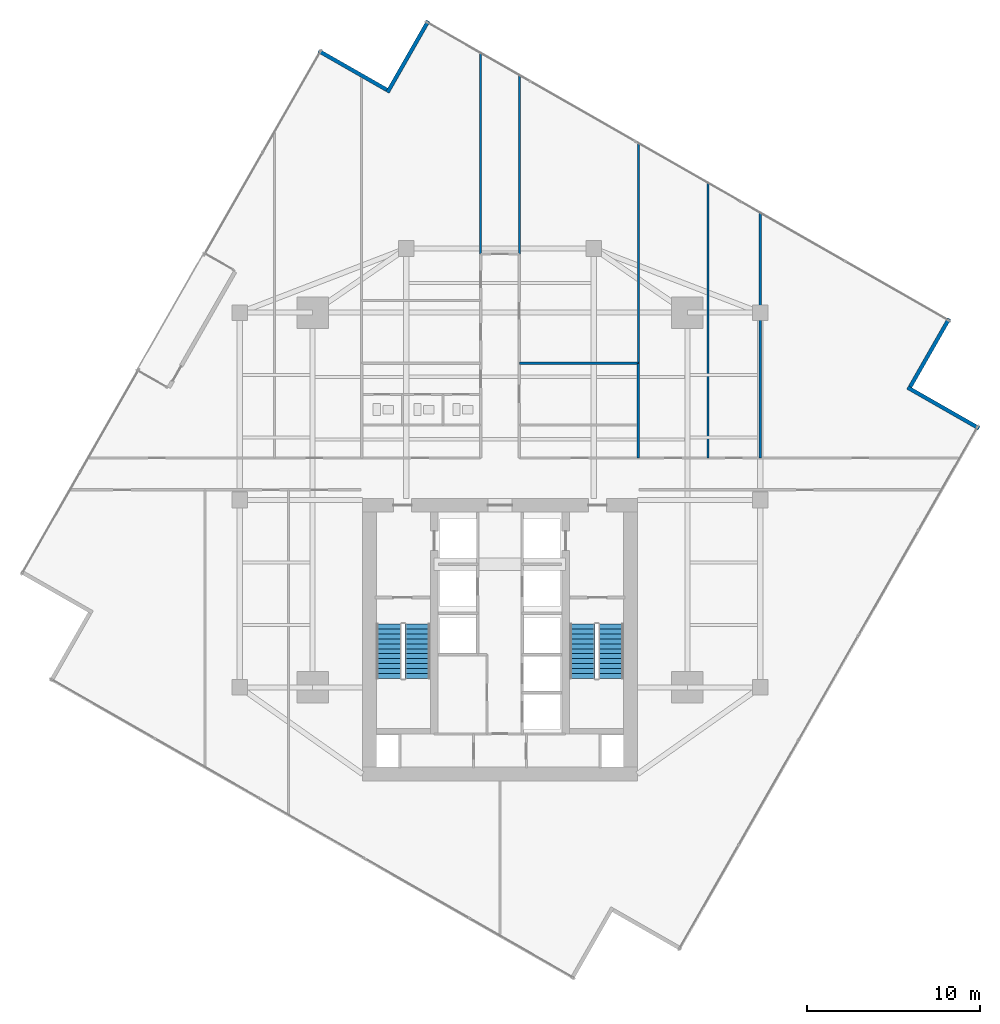
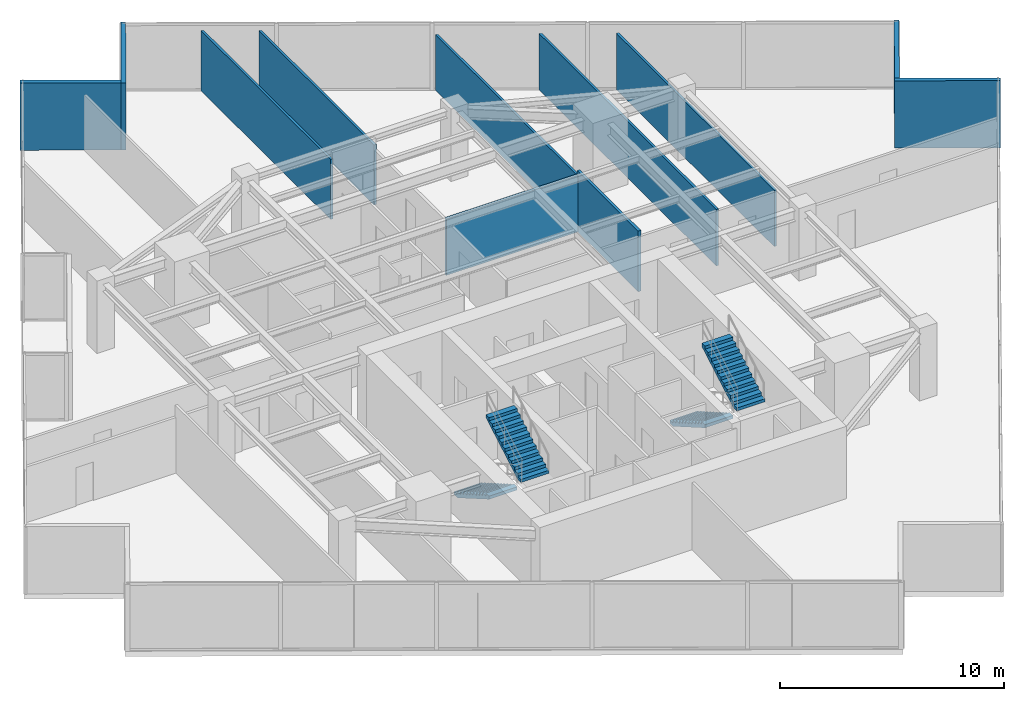
# One storey, part 22 of 24: 11 walls, 4 stair flights, 2 elements without a shape of their own.
"""IFC4 building model written with IfcOpenShell, lengths in metres."""

from ifc_helpers import new_model, si_unit, direction, frame, frame_2d, origin, place, context, subcontext, project, spatial, polyline, rectangle, outline, extrude, material, layer, layer_set, type_object, element, aggregate, save


model = new_model("IFC4")

# Units and contexts
model_context = context("Model", 3, precision=1e-05, world=origin(), true_north=direction((0.0, 1.0)))
body_context = subcontext(model_context, "Body", "Model", "MODEL_VIEW")
ifc_project = project(units=[si_unit("LENGTHUNIT", "METRE"), si_unit("AREAUNIT", "SQUARE_METRE"), si_unit("VOLUMEUNIT", "CUBIC_METRE"), si_unit("PLANEANGLEUNIT", "RADIAN"), si_unit("MASSUNIT", "GRAM", prefix="KILO")], contexts=[model_context])

# Site, building, storey
site_placement = place(None, origin())
site = spatial("IfcSite", under=ifc_project, at=site_placement, CompositionType="ELEMENT")
building_placement = place(site_placement, origin())
building = spatial("IfcBuilding", under=site, at=building_placement, Name="Krantzveldt Concourse Tower", CompositionType="ELEMENT")
storey_placement = place(building_placement, frame((0.0, 0.0, 169.89990234375)))
storey = spatial("IfcBuildingStorey", under=building, at=storey_placement, Name="L41", CompositionType="ELEMENT", Elevation=169.89990234375)

# Walls
ifc_material_1 = material(Name="Anodised aluminium 6063-T6", Category="aluminium")
ifc_layer_1 = layer(ifc_material_1, 0.219970703125, Name="Anodised aluminium 6063-T6", Category="aluminium")
ifc_layer_set_1 = layer_set([ifc_layer_1], Name="Anodised aluminium 6063-T6 (WL-EXT-NOTCH220)")
wall_type_1 = type_object("IfcWallType", Name="WL-EXT-NOTCH220", PredefinedType="ELEMENTEDWALL", material=ifc_layer_set_1)
wall_1_placement = place(storey_placement, frame((29.472900390625, 50.34521484375, 0.0), z_axis=(0.0, 0.0, 1.0), x_axis=(-0.868170087613, 0.496266761908, 0.0)))
element("IfcWall", 1, at=wall_1_placement, inside=storey, type_object=wall_type_1, Name="EW-L41-NCH00", PredefinedType="ELEMENTEDWALL", context=body_context, shape_type="SweptSolid", body=[
    extrude(rectangle(XDim=4.52490234375, YDim=0.219970703125, at=frame_2d((2.262451171875, 0.0))), origin(), (0.0, 0.0, 1.0), 3.670166015625),
])
wall_2_placement = place(storey_placement, frame((63.61474609375, 30.83154296875, 0.0), z_axis=(0.0, 0.0, 1.0), x_axis=(-0.868170306664, 0.496266378698, 0.0)))
element("IfcWall", 2, at=wall_2_placement, inside=storey, type_object=wall_type_1, Name="EW-L41-NCH12", PredefinedType="ELEMENTEDWALL", context=body_context, shape_type="SweptSolid", body=[
    extrude(rectangle(XDim=4.744873046875, YDim=0.219970703125, at=frame_2d((2.37255859375, 0.0))), origin(), (0.0, 0.0, 1.0), 3.670166015625),
])
wall_3_placement = place(storey_placement, frame((59.645263671875, 33.22705078125, 0.0), z_axis=(0.0, 0.0, 1.0), x_axis=(0.496202850194, 0.868206617954, 0.0)))
element("IfcWall", 3, at=wall_3_placement, inside=storey, type_object=wall_type_1, Name="EW-L41-NCH13", PredefinedType="ELEMENTEDWALL", context=body_context, shape_type="SweptSolid", body=[
    extrude(rectangle(XDim=4.525146484375, YDim=0.219970703125, at=frame_2d((2.2626953125, 0.0))), origin(), (0.0, 0.0, 1.0), 3.670166015625),
])
wall_4_placement = place(storey_placement, frame((31.868408203125, 54.31494140625, 0.0), z_axis=(0.0, 0.0, 1.0), x_axis=(-0.496205429031, -0.868205144076, 0.0)))
element("IfcWall", 4, at=wall_4_placement, inside=storey, type_object=wall_type_1, Name="EW-L41-NCH15", PredefinedType="ELEMENTEDWALL", context=body_context, shape_type="SweptSolid", body=[
    extrude(rectangle(XDim=4.744873046875, YDim=0.219970703125, at=frame_2d((2.37255859375, 0.0))), origin(), (0.0, 0.0, 1.0), 3.670166015625),
])
ifc_material_2 = material(Name="Fire-rated gypsum plasterboard on steel stud", Category="steel")
ifc_layer_2 = layer(ifc_material_2, 0.1201171875, Name="Fire-rated gypsum plasterboard on steel stud", Category="steel")
ifc_layer_set_2 = layer_set([ifc_layer_2], Name="Fire-rated gypsum plasterboard on steel stud (WL-PART-120)")
wall_type_2 = type_object("IfcWallType", Name="WL-PART-120", PredefinedType="PARTITIONING", material=ifc_layer_set_2)
wall_5_placement = place(storey_placement, frame((34.8798828125, 40.8798828125, 0.0), z_axis=(0.0, 0.0, 1.0), x_axis=(0.0, 1.0, 0.0)))
element("IfcWall", 5, at=wall_5_placement, inside=storey, type_object=wall_type_2, Name="WP-L41-NTL", PredefinedType="PARTITIONING", context=body_context, shape_type="SweptSolid", body=[
    extrude(rectangle(XDim=11.581298828125, YDim=0.1201171875, at=frame_2d((5.79052734375, 0.0))), origin(), (0.0, 0.0, 1.0), 3.280029296875),
])
wall_6_placement = place(storey_placement, frame((37.1201171875, 40.8798828125, 0.0), z_axis=(0.0, 0.0, 1.0), x_axis=(0.0, 1.0, 0.0)))
element("IfcWall", 6, at=wall_6_placement, inside=storey, type_object=wall_type_2, Name="WP-L41-NTR", PredefinedType="PARTITIONING", context=body_context, shape_type="SweptSolid", body=[
    extrude(rectangle(XDim=10.301025390625, YDim=0.1201171875, at=frame_2d((5.150390625, 0.0))), origin(), (0.0, 0.0, 1.0), 3.280029296875),
])
wall_7_placement = place(storey_placement, frame((43.97998046875, 34.580078125, 0.0), z_axis=(0.0, 0.0, 1.0), x_axis=(0.0, 1.0, 0.0)))
element("IfcWall", 7, at=wall_7_placement, inside=storey, type_object=wall_type_2, Name="WP-L41-ISER2", PredefinedType="PARTITIONING", context=body_context, shape_type="SweptSolid", body=[
    extrude(rectangle(XDim=12.679931640625, YDim=0.1201171875, at=frame_2d((6.33984375, 0.0))), origin(), (0.0, 0.0, 1.0), 3.030029296875),
])
wall_8_placement = place(storey_placement, frame((48.0, 29.1201171875, 0.0), z_axis=(0.0, 0.0, 1.0), x_axis=(0.0, 1.0, 0.0)))
element("IfcWall", 8, at=wall_8_placement, inside=storey, type_object=wall_type_2, Name="WP-L41-NEX1", PredefinedType="PARTITIONING", context=body_context, shape_type="SweptSolid", body=[
    extrude(rectangle(XDim=15.84228515625, YDim=0.1201171875, at=frame_2d((7.921142578125, 0.0))), origin(), (0.0, 0.0, 1.0), 3.080078125),
])
wall_9_placement = place(storey_placement, frame((51.0, 29.1201171875, 0.0), z_axis=(0.0, 0.0, 1.0), x_axis=(0.0, 1.0, 0.0)))
element("IfcWall", 9, at=wall_9_placement, inside=storey, type_object=wall_type_2, Name="WP-L41-NEX2", PredefinedType="PARTITIONING", context=body_context, shape_type="SweptSolid", body=[
    extrude(rectangle(XDim=14.127685546875, YDim=0.1201171875, at=frame_2d((7.06396484375, 0.0))), origin(), (0.0, 0.0, 1.0), 3.080078125),
])
ifc_layer_3 = layer(ifc_material_2, 0.139892578125, Name="Fire-rated gypsum plasterboard on steel stud", Category="steel")
ifc_layer_set_3 = layer_set([ifc_layer_3], Name="Fire-rated gypsum plasterboard on steel stud (WL-PART-140)")
wall_type_3 = type_object("IfcWallType", Name="WL-PART-140", PredefinedType="PARTITIONING", material=ifc_layer_set_3)
wall_10_placement = place(storey_placement, frame((37.1201171875, 34.580078125, 0.0), z_axis=(0.0, 0.0, 1.0), x_axis=(1.0, 0.0, 0.0)))
element("IfcWall", 10, at=wall_10_placement, inside=storey, type_object=wall_type_3, Name="WP-L41-ISNR", PredefinedType="PARTITIONING", context=body_context, shape_type="SweptSolid", body=[
    extrude(rectangle(XDim=6.85986328125, YDim=0.139892578125, at=frame_2d((3.429931640625, 0.0))), origin(), (0.0, 0.0, 1.0), 3.080078125),
])
wall_11_placement = place(storey_placement, frame((43.97998046875, 29.1201171875, 0.0), z_axis=(0.0, 0.0, 1.0), x_axis=(0.0, 1.0, 0.0)))
element("IfcWall", 11, at=wall_11_placement, inside=storey, type_object=wall_type_3, Name="WP-L41-ISER", PredefinedType="PARTITIONING", context=body_context, shape_type="SweptSolid", body=[
    extrude(rectangle(XDim=5.4599609375, YDim=0.139892578125, at=frame_2d((2.72998046875, 0.0))), origin(), (0.0, 0.0, 1.0), 3.31005859375),
])

# Stair, stair flights
ifc_material_3 = material(Name="Precast concrete C40/50", Category="concrete")
stair_type = type_object("IfcStairType", Name="STR-CORE-DOGLEG", PredefinedType="HALF_TURN_STAIR", material=ifc_material_3)
stair_1_placement = place(storey_placement, origin())
stair_1 = element("IfcStair", 12, at=stair_1_placement, inside=storey, type_object=stair_type, Name="L41 Protected Escape Stair ST-1", PredefinedType="HALF_TURN_STAIR")
stair_flight_type = type_object("IfcStairFlightType", Name="STF-CORE-1450", PredefinedType="STRAIGHT", material=ifc_material_3)
stair_flight_1_placement = place(storey_placement, frame((29.60498046875, 19.550048828125, 0.0), z_axis=(0.0, 0.0, 1.0), x_axis=(0.0, -1.0, 0.0)))
stair_flight_1 = element("IfcStairFlight", 13, at=stair_flight_1_placement, type_object=stair_flight_type, Name="ST-1 flight 1", NumberOfRisers=12, NumberOfTreads=11, PredefinedType="STRAIGHT", RiserHeight=0.164583333, TreadLength=0.285, context=body_context, shape_type="SweptSolid", body=[
    extrude(outline(polyline([(0.0, 0.0), (0.0, 0.16455078125), (0.284912109375, 0.16455078125), (0.284912109375, 0.3291015625), (0.570068359375, 0.3291015625), (0.570068359375, 0.49365234375), (0.85498046875, 0.49365234375), (0.85498046875, 0.658447265625), (1.139892578125, 0.658447265625), (1.139892578125, 0.822998046875), (1.425048828125, 0.822998046875), (1.425048828125, 0.987548828125), (1.7099609375, 0.987548828125), (1.7099609375, 1.152099609375), (1.9951171875, 1.152099609375), (1.9951171875, 1.316650390625), (2.280029296875, 1.316650390625), (2.280029296875, 1.481201171875), (2.56494140625, 1.481201171875), (2.56494140625, 1.645751953125), (2.85009765625, 1.645751953125), (2.85009765625, 1.810302734375), (3.135009765625, 1.810302734375), (3.135009765625, 1.97509765625), (3.135009765625, 1.63720703125), (0.2998046875, 0.0), (0.0, 0.0)])), frame((0.0, 0.72509765625, 0.0), z_axis=(0.0, -1.0, 0.0), x_axis=(1.0, 0.0, 0.0)), (0.0, 0.0, 1.0), 1.449951171875),
])
stair_flight_2_placement = place(storey_placement, frame((31.2548828125, 16.4150390625, 1.97509765625), z_axis=(0.0, 0.0, 1.0), x_axis=(0.0, 1.0, 0.0)))
stair_flight_2 = element("IfcStairFlight", 14, at=stair_flight_2_placement, type_object=stair_flight_type, Name="ST-1 flight 2", NumberOfRisers=12, NumberOfTreads=11, PredefinedType="STRAIGHT", RiserHeight=0.164583333, TreadLength=0.285, context=body_context, shape_type="SweptSolid", body=[
    extrude(outline(polyline([(0.0, 0.0), (0.0, 0.16455078125), (0.284912109375, 0.16455078125), (0.284912109375, 0.3291015625), (0.570068359375, 0.3291015625), (0.570068359375, 0.49365234375), (0.85498046875, 0.49365234375), (0.85498046875, 0.658447265625), (1.139892578125, 0.658447265625), (1.139892578125, 0.822998046875), (1.425048828125, 0.822998046875), (1.425048828125, 0.987548828125), (1.7099609375, 0.987548828125), (1.7099609375, 1.152099609375), (1.9951171875, 1.152099609375), (1.9951171875, 1.316650390625), (2.280029296875, 1.316650390625), (2.280029296875, 1.481201171875), (2.56494140625, 1.481201171875), (2.56494140625, 1.645751953125), (2.85009765625, 1.645751953125), (2.85009765625, 1.810302734375), (3.135009765625, 1.810302734375), (3.135009765625, 1.97509765625), (3.135009765625, 1.63720703125), (0.2998046875, 0.0), (0.0, 0.0)])), frame((0.0, 0.72509765625, 0.0), z_axis=(0.0, -1.0, 0.0), x_axis=(1.0, 0.0, 0.0)), (0.0, 0.0, 1.0), 1.449951171875),
])
aggregate(stair_1, [stair_flight_1, stair_flight_2])

stair_2_placement = place(storey_placement, origin())
stair_2 = element("IfcStair", 15, at=stair_2_placement, inside=storey, type_object=stair_type, Name="L41 Protected Escape Stair ST-2", PredefinedType="HALF_TURN_STAIR")
stair_flight_3_placement = place(storey_placement, frame((40.7451171875, 19.550048828125, 0.0), z_axis=(0.0, 0.0, 1.0), x_axis=(0.0, -1.0, 0.0)))
stair_flight_3 = element("IfcStairFlight", 16, at=stair_flight_3_placement, type_object=stair_flight_type, Name="ST-2 flight 1", NumberOfRisers=12, NumberOfTreads=11, PredefinedType="STRAIGHT", RiserHeight=0.164583333, TreadLength=0.285, context=body_context, shape_type="SweptSolid", body=[
    extrude(outline(polyline([(0.0, 0.0), (0.0, 0.16455078125), (0.284912109375, 0.16455078125), (0.284912109375, 0.3291015625), (0.570068359375, 0.3291015625), (0.570068359375, 0.49365234375), (0.85498046875, 0.49365234375), (0.85498046875, 0.658447265625), (1.139892578125, 0.658447265625), (1.139892578125, 0.822998046875), (1.425048828125, 0.822998046875), (1.425048828125, 0.987548828125), (1.7099609375, 0.987548828125), (1.7099609375, 1.152099609375), (1.9951171875, 1.152099609375), (1.9951171875, 1.316650390625), (2.280029296875, 1.316650390625), (2.280029296875, 1.481201171875), (2.56494140625, 1.481201171875), (2.56494140625, 1.645751953125), (2.85009765625, 1.645751953125), (2.85009765625, 1.810302734375), (3.135009765625, 1.810302734375), (3.135009765625, 1.97509765625), (3.135009765625, 1.63720703125), (0.2998046875, 0.0), (0.0, 0.0)])), frame((0.0, 0.72509765625, 0.0), z_axis=(0.0, -1.0, 0.0), x_axis=(1.0, 0.0, 0.0)), (0.0, 0.0, 1.0), 1.449951171875),
])
stair_flight_4_placement = place(storey_placement, frame((42.39501953125, 16.4150390625, 1.97509765625), z_axis=(0.0, 0.0, 1.0), x_axis=(0.0, 1.0, 0.0)))
stair_flight_4 = element("IfcStairFlight", 17, at=stair_flight_4_placement, type_object=stair_flight_type, Name="ST-2 flight 2", NumberOfRisers=12, NumberOfTreads=11, PredefinedType="STRAIGHT", RiserHeight=0.164583333, TreadLength=0.285, context=body_context, shape_type="SweptSolid", body=[
    extrude(outline(polyline([(0.0, 0.0), (0.0, 0.16455078125), (0.284912109375, 0.16455078125), (0.284912109375, 0.3291015625), (0.570068359375, 0.3291015625), (0.570068359375, 0.49365234375), (0.85498046875, 0.49365234375), (0.85498046875, 0.658447265625), (1.139892578125, 0.658447265625), (1.139892578125, 0.822998046875), (1.425048828125, 0.822998046875), (1.425048828125, 0.987548828125), (1.7099609375, 0.987548828125), (1.7099609375, 1.152099609375), (1.9951171875, 1.152099609375), (1.9951171875, 1.316650390625), (2.280029296875, 1.316650390625), (2.280029296875, 1.481201171875), (2.56494140625, 1.481201171875), (2.56494140625, 1.645751953125), (2.85009765625, 1.645751953125), (2.85009765625, 1.810302734375), (3.135009765625, 1.810302734375), (3.135009765625, 1.97509765625), (3.135009765625, 1.63720703125), (0.2998046875, 0.0), (0.0, 0.0)])), frame((0.0, 0.72509765625, 0.0), z_axis=(0.0, -1.0, 0.0), x_axis=(1.0, 0.0, 0.0)), (0.0, 0.0, 1.0), 1.449951171875),
])
aggregate(stair_2, [stair_flight_3, stair_flight_4])

save(model, "model.ifc")
